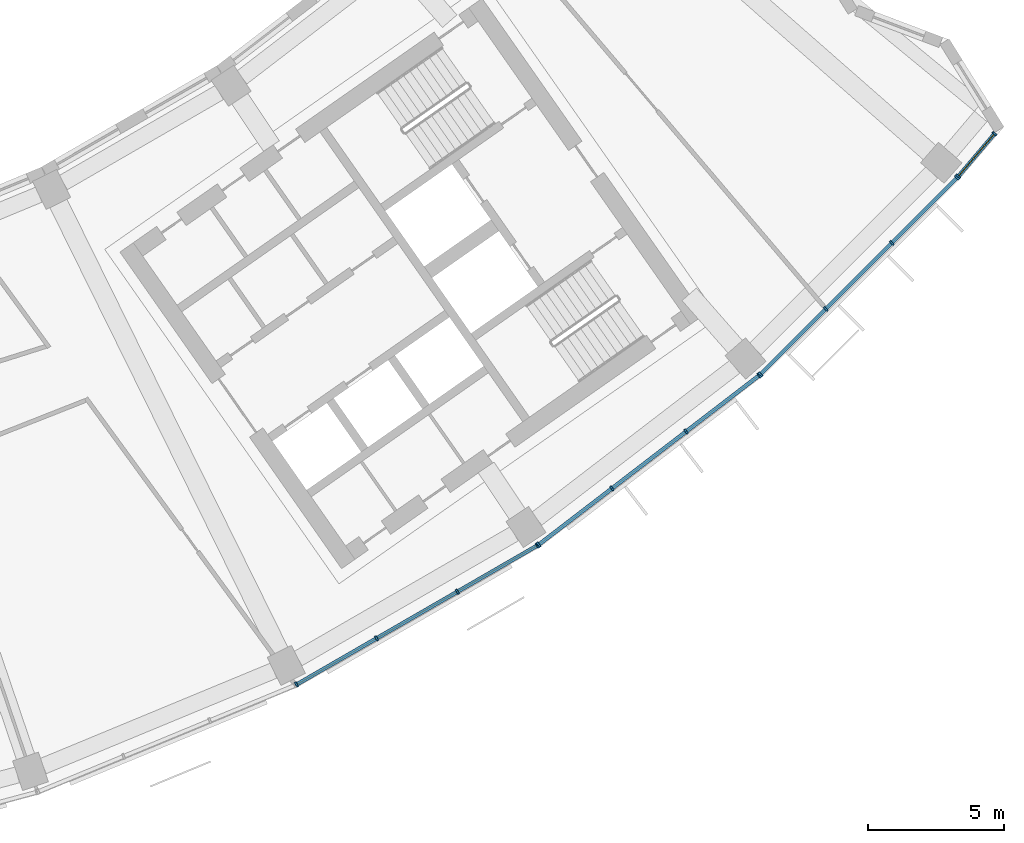
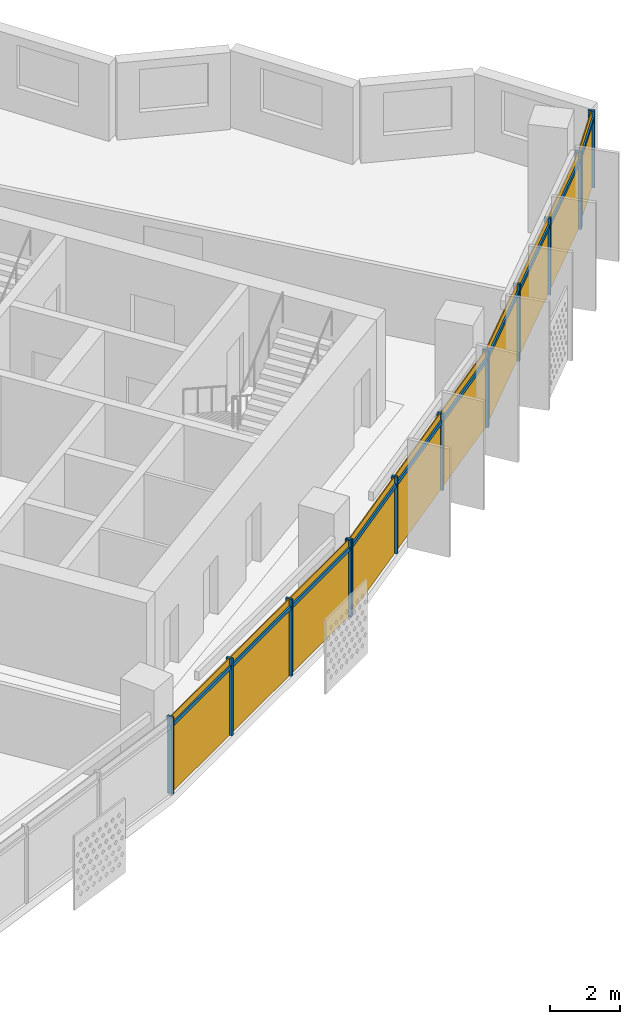
# One storey, part 21 of 27: 24 members, 4 curtain walls.
"""IFC4 building model written with IfcOpenShell, lengths in metres."""

from ifc_helpers import new_model, si_unit, direction, frame, origin, origin_2d, place, context, subcontext, project, spatial, rectangle, extrude, material, material_profile, profile_set, type_object, element, aggregate, save


model = new_model("IFC4")

# Units and contexts
model_context = context("Model", 3, precision=1e-05, world=origin(), true_north=direction((0.0, 1.0)))
body_context = subcontext(model_context, "Body", "Model", "MODEL_VIEW")
ifc_project = project(units=[si_unit("LENGTHUNIT", "METRE"), si_unit("AREAUNIT", "SQUARE_METRE"), si_unit("VOLUMEUNIT", "CUBIC_METRE"), si_unit("PLANEANGLEUNIT", "RADIAN"), si_unit("MASSUNIT", "GRAM", prefix="KILO")], contexts=[model_context])

# Member
ifc_material = material(Name="Aluminium 6063-T6 anodised", Category="aluminium")
ifc_material_profile_1 = material_profile(ifc_material, rectangle(XDim=0.199951171875, YDim=0.070068359375, at=origin_2d()))
ifc_profile_set_1 = profile_set([ifc_material_profile_1], Name="Aluminium 6063-T6 anodised")
member_type_1 = type_object("IfcMemberType", Name="Mullion 70 x 200 aluminium", PredefinedType="MULLION", material=ifc_profile_set_1)
site_placement = place(None, origin())
building_placement = place(site_placement, origin())
storey_placement = place(building_placement, frame((0.0, 0.0, 222.699951171875)))
member_1_placement = place(storey_placement, frame((34.766357421875, -70.43505859375, 0.0), z_axis=(0.0, 0.0, 1.0), x_axis=(-0.5, 0.866025403784, 0.0)))
member_1 = element("IfcMember", 1, at=member_1_placement, type_object=member_type_1, Name="e-cw1-L53-out12/M00", PredefinedType="MULLION", context=body_context, shape_type="SweptSolid", body=[
    extrude(rectangle(XDim=0.199951171875, YDim=0.070068359375, at=origin_2d()), origin(), (0.0, 0.0, 1.0), 2.699951171875),
])

member_2_placement = place(storey_placement, frame((37.705810546875, -68.73779296875, 0.0), z_axis=(0.0, 0.0, 1.0), x_axis=(-0.5, 0.866025403784, 0.0)))
member_2 = element("IfcMember", 2, at=member_2_placement, type_object=member_type_1, Name="e-cw1-L53-out12/M01", PredefinedType="MULLION", context=body_context, shape_type="SweptSolid", body=[
    extrude(rectangle(XDim=0.199951171875, YDim=0.070068359375, at=origin_2d()), origin(), (0.0, 0.0, 1.0), 2.699951171875),
])

member_3_placement = place(storey_placement, frame((40.67578125, -67.023193359375, 0.0), z_axis=(0.0, 0.0, 1.0), x_axis=(-0.5, 0.866025403784, 0.0)))
member_3 = element("IfcMember", 3, at=member_3_placement, type_object=member_type_1, Name="e-cw1-L53-out12/M02", PredefinedType="MULLION", context=body_context, shape_type="SweptSolid", body=[
    extrude(rectangle(XDim=0.199951171875, YDim=0.070068359375, at=origin_2d()), origin(), (0.0, 0.0, 1.0), 2.699951171875),
])

member_4_placement = place(storey_placement, frame((43.615234375, -65.325927734375, 0.0), z_axis=(0.0, 0.0, 1.0), x_axis=(-0.5, 0.866025403784, 0.0)))
member_4 = element("IfcMember", 4, at=member_4_placement, type_object=member_type_1, Name="e-cw1-L53-out12/M03", PredefinedType="MULLION", context=body_context, shape_type="SweptSolid", body=[
    extrude(rectangle(XDim=0.199951171875, YDim=0.070068359375, at=origin_2d()), origin(), (0.0, 0.0, 1.0), 2.699951171875),
])

member_5_placement = place(storey_placement, frame((43.66259765625, -65.29443359375, 0.0), z_axis=(0.0, 0.0, 1.0), x_axis=(-0.608761429009, 0.793353340291, 0.0)))
member_5 = element("IfcMember", 5, at=member_5_placement, type_object=member_type_1, Name="e-cw1-L53-out13/M00", PredefinedType="MULLION", context=body_context, shape_type="SweptSolid", body=[
    extrude(rectangle(XDim=0.199951171875, YDim=0.070068359375, at=origin_2d()), origin(), (0.0, 0.0, 1.0), 2.699951171875),
])

member_6_placement = place(storey_placement, frame((46.35546875, -63.22802734375, 0.0), z_axis=(0.0, 0.0, 1.0), x_axis=(-0.608761429009, 0.793353340291, 0.0)))
member_6 = element("IfcMember", 6, at=member_6_placement, type_object=member_type_1, Name="e-cw1-L53-out13/M01", PredefinedType="MULLION", context=body_context, shape_type="SweptSolid", body=[
    extrude(rectangle(XDim=0.199951171875, YDim=0.070068359375, at=origin_2d()), origin(), (0.0, 0.0, 1.0), 2.699951171875),
])

member_7_placement = place(storey_placement, frame((49.075927734375, -61.140380859375, 0.0), z_axis=(0.0, 0.0, 1.0), x_axis=(-0.608761429009, 0.793353340291, 0.0)))
member_7 = element("IfcMember", 7, at=member_7_placement, type_object=member_type_1, Name="e-cw1-L53-out13/M02", PredefinedType="MULLION", context=body_context, shape_type="SweptSolid", body=[
    extrude(rectangle(XDim=0.199951171875, YDim=0.070068359375, at=origin_2d()), origin(), (0.0, 0.0, 1.0), 2.699951171875),
])

member_8_placement = place(storey_placement, frame((51.768798828125, -59.07421875, 0.0), z_axis=(0.0, 0.0, 1.0), x_axis=(-0.608761429009, 0.793353340291, 0.0)))
member_8 = element("IfcMember", 8, at=member_8_placement, type_object=member_type_1, Name="e-cw1-L53-out13/M03", PredefinedType="MULLION", context=body_context, shape_type="SweptSolid", body=[
    extrude(rectangle(XDim=0.199951171875, YDim=0.070068359375, at=origin_2d()), origin(), (0.0, 0.0, 1.0), 2.699951171875),
])

member_9_placement = place(storey_placement, frame((51.8115234375, -59.03662109375, 0.0), z_axis=(0.0, 0.0, 1.0), x_axis=(-0.707106781187, 0.707106781187, 0.0)))
member_9 = element("IfcMember", 9, at=member_9_placement, type_object=member_type_1, Name="e-cw1-L53-out14/M00", PredefinedType="MULLION", context=body_context, shape_type="SweptSolid", body=[
    extrude(rectangle(XDim=0.199951171875, YDim=0.070068359375, at=origin_2d()), origin(), (0.0, 0.0, 1.0), 2.699951171875),
])

member_10_placement = place(storey_placement, frame((54.211669921875, -56.63671875, 0.0), z_axis=(0.0, 0.0, 1.0), x_axis=(-0.707106781187, 0.707106781187, 0.0)))
member_10 = element("IfcMember", 10, at=member_10_placement, type_object=member_type_1, Name="e-cw1-L53-out14/M01", PredefinedType="MULLION", context=body_context, shape_type="SweptSolid", body=[
    extrude(rectangle(XDim=0.199951171875, YDim=0.070068359375, at=origin_2d()), origin(), (0.0, 0.0, 1.0), 2.699951171875),
])

member_11_placement = place(storey_placement, frame((56.63671875, -54.211669921875, 0.0), z_axis=(0.0, 0.0, 1.0), x_axis=(-0.707106781187, 0.707106781187, 0.0)))
member_11 = element("IfcMember", 11, at=member_11_placement, type_object=member_type_1, Name="e-cw1-L53-out14/M02", PredefinedType="MULLION", context=body_context, shape_type="SweptSolid", body=[
    extrude(rectangle(XDim=0.199951171875, YDim=0.070068359375, at=origin_2d()), origin(), (0.0, 0.0, 1.0), 2.699951171875),
])

member_12_placement = place(storey_placement, frame((59.03662109375, -51.8115234375, 0.0), z_axis=(0.0, 0.0, 1.0), x_axis=(-0.707106781187, 0.707106781187, 0.0)))
member_12 = element("IfcMember", 12, at=member_12_placement, type_object=member_type_1, Name="e-cw1-L53-out14/M03", PredefinedType="MULLION", context=body_context, shape_type="SweptSolid", body=[
    extrude(rectangle(XDim=0.199951171875, YDim=0.070068359375, at=origin_2d()), origin(), (0.0, 0.0, 1.0), 2.699951171875),
])

member_13_placement = place(storey_placement, frame((59.07861328125, -51.76611328125, 0.0), z_axis=(0.0, 0.0, 1.0), x_axis=(-0.762284036665, 0.647242649588, 0.0)))
member_13 = element("IfcMember", 13, at=member_13_placement, type_object=member_type_1, Name="e-cw1-L53-out15/M00", PredefinedType="MULLION", context=body_context, shape_type="SweptSolid", body=[
    extrude(rectangle(XDim=0.199951171875, YDim=0.070068359375, at=origin_2d()), origin(), (0.0, 0.0, 1.0), 2.699951171875),
])

member_14_placement = place(storey_placement, frame((60.41162109375, -50.196044921875, 0.0), z_axis=(0.0, 0.0, 1.0), x_axis=(-0.762284036665, 0.647242649588, 0.0)))
member_14 = element("IfcMember", 14, at=member_14_placement, type_object=member_type_1, Name="e-cw1-L53-out15/M01", PredefinedType="MULLION", context=body_context, shape_type="SweptSolid", body=[
    extrude(rectangle(XDim=0.199951171875, YDim=0.070068359375, at=origin_2d()), origin(), (0.0, 0.0, 1.0), 2.699951171875),
])

ifc_material_profile_2 = material_profile(ifc_material, rectangle(XDim=0.139892578125, YDim=0.1201171875, at=origin_2d()))
ifc_profile_set_2 = profile_set([ifc_material_profile_2], Name="Aluminium 6063-T6 anodised")
member_type_2 = type_object("IfcMemberType", Name="Transom 120 x 140 aluminium", PredefinedType="USERDEFINED", material=ifc_profile_set_2)
member_15_placement = place(storey_placement, frame((34.796630859375, -70.41748046875, 2.400146484375), z_axis=(0.866029041019, 0.499993700073, 0.0), x_axis=(-0.499993700073, 0.866029041019, 0.0)))
member_15 = element("IfcMember", 15, at=member_15_placement, type_object=member_type_2, Name="e-cw1-L53-out12/T00", ObjectType="TRANSOM", PredefinedType="USERDEFINED", context=body_context, shape_type="SweptSolid", body=[
    extrude(rectangle(XDim=0.139892578125, YDim=0.1201171875, at=origin_2d()), origin(), (0.0, 0.0, 1.0), 3.32421875),
])

member_16_placement = place(storey_placement, frame((37.736083984375, -68.72021484375, 2.400146484375), z_axis=(0.866034314054, 0.499984566643, 0.0), x_axis=(-0.499984566643, 0.866034314054, 0.0)))
member_16 = element("IfcMember", 16, at=member_16_placement, type_object=member_type_2, Name="e-cw1-L53-out12/T01", ObjectType="TRANSOM", PredefinedType="USERDEFINED", context=body_context, shape_type="SweptSolid", body=[
    extrude(rectangle(XDim=0.139892578125, YDim=0.1201171875, at=origin_2d()), origin(), (0.0, 0.0, 1.0), 3.359375),
])

member_17_placement = place(storey_placement, frame((40.7060546875, -67.005615234375, 2.400146484375), z_axis=(0.866029041019, 0.499993700073, 0.0), x_axis=(-0.499993700073, 0.866029041019, 0.0)))
member_17 = element("IfcMember", 17, at=member_17_placement, type_object=member_type_2, Name="e-cw1-L53-out12/T02", ObjectType="TRANSOM", PredefinedType="USERDEFINED", context=body_context, shape_type="SweptSolid", body=[
    extrude(rectangle(XDim=0.139892578125, YDim=0.1201171875, at=origin_2d()), origin(), (0.0, 0.0, 1.0), 3.32421875),
])

member_18_placement = place(storey_placement, frame((43.690185546875, -65.273193359375, 2.400146484375), z_axis=(0.793368713958, 0.608741393132, 0.0), x_axis=(-0.608741393132, 0.793368713958, 0.0)))
member_18 = element("IfcMember", 18, at=member_18_placement, type_object=member_type_2, Name="e-cw1-L53-out13/T00", ObjectType="TRANSOM", PredefinedType="USERDEFINED", context=body_context, shape_type="SweptSolid", body=[
    extrude(rectangle(XDim=0.139892578125, YDim=0.1201171875, at=origin_2d()), origin(), (0.0, 0.0, 1.0), 3.324462890625),
])

member_19_placement = place(storey_placement, frame((46.383056640625, -63.206787109375, 2.400146484375), z_axis=(0.793385234627, 0.608719861247, 0.0), x_axis=(-0.608719861247, 0.793385234627, 0.0)))
member_19 = element("IfcMember", 19, at=member_19_placement, type_object=member_type_2, Name="e-cw1-L53-out13/T01", ObjectType="TRANSOM", PredefinedType="USERDEFINED", context=body_context, shape_type="SweptSolid", body=[
    extrude(rectangle(XDim=0.139892578125, YDim=0.1201171875, at=origin_2d()), origin(), (0.0, 0.0, 1.0), 3.359375),
])

member_20_placement = place(storey_placement, frame((49.103759765625, -61.119140625, 2.400146484375), z_axis=(0.793368713958, 0.608741393132, 0.0), x_axis=(-0.608741393132, 0.793368713958, 0.0)))
member_20 = element("IfcMember", 20, at=member_20_placement, type_object=member_type_2, Name="e-cw1-L53-out13/T02", ObjectType="TRANSOM", PredefinedType="USERDEFINED", context=body_context, shape_type="SweptSolid", body=[
    extrude(rectangle(XDim=0.139892578125, YDim=0.1201171875, at=origin_2d()), origin(), (0.0, 0.0, 1.0), 3.324462890625),
])

member_21_placement = place(storey_placement, frame((51.83642578125, -59.011962890625, 2.400146484375), z_axis=(0.707106781187, 0.707106781187, 0.0), x_axis=(-0.707106781187, 0.707106781187, 0.0)))
member_21 = element("IfcMember", 21, at=member_21_placement, type_object=member_type_2, Name="e-cw1-L53-out14/T00", ObjectType="TRANSOM", PredefinedType="USERDEFINED", context=body_context, shape_type="SweptSolid", body=[
    extrude(rectangle(XDim=0.139892578125, YDim=0.1201171875, at=origin_2d()), origin(), (0.0, 0.0, 1.0), 3.32421875),
])

member_22_placement = place(storey_placement, frame((54.236572265625, -56.61181640625, 2.400146484375), z_axis=(0.707106781187, 0.707106781187, 0.0), x_axis=(-0.707106781187, 0.707106781187, 0.0)))
member_22 = element("IfcMember", 22, at=member_22_placement, type_object=member_type_2, Name="e-cw1-L53-out14/T01", ObjectType="TRANSOM", PredefinedType="USERDEFINED", context=body_context, shape_type="SweptSolid", body=[
    extrude(rectangle(XDim=0.139892578125, YDim=0.1201171875, at=origin_2d()), origin(), (0.0, 0.0, 1.0), 3.359130859375),
])

member_23_placement = place(storey_placement, frame((56.661376953125, -54.18701171875, 2.400146484375), z_axis=(0.707106781187, 0.707106781187, 0.0), x_axis=(-0.707106781187, 0.707106781187, 0.0)))
member_23 = element("IfcMember", 23, at=member_23_placement, type_object=member_type_2, Name="e-cw1-L53-out14/T02", ObjectType="TRANSOM", PredefinedType="USERDEFINED", context=body_context, shape_type="SweptSolid", body=[
    extrude(rectangle(XDim=0.139892578125, YDim=0.1201171875, at=origin_2d()), origin(), (0.0, 0.0, 1.0), 3.32421875),
])

member_24_placement = place(storey_placement, frame((59.101318359375, -51.739501953125, 2.400146484375), z_axis=(0.64720660326, 0.762314641534, 0.0), x_axis=(-0.762314641534, 0.64720660326, 0.0)))
member_24 = element("IfcMember", 24, at=member_24_placement, type_object=member_type_2, Name="e-cw1-L53-out15/T00", ObjectType="TRANSOM", PredefinedType="USERDEFINED", context=body_context, shape_type="SweptSolid", body=[
    extrude(rectangle(XDim=0.139892578125, YDim=0.1201171875, at=origin_2d()), origin(), (0.0, 0.0, 1.0), 1.989501953125),
])

# Site, building, storey
site = spatial("IfcSite", under=ifc_project, at=site_placement, CompositionType="ELEMENT")
building = spatial("IfcBuilding", under=site, at=building_placement, Name="Qamariyya Broadcast Tower", CompositionType="ELEMENT")
storey = spatial("IfcBuildingStorey", under=building, at=storey_placement, Name="L53", CompositionType="ELEMENT", Elevation=222.699951171875)

# Curtain wall
curtain_wall_type = type_object("IfcCurtainWallType", Name="Unitised curtain wall, anodised aluminium", PredefinedType="NOTDEFINED", material=ifc_material)
curtain_wall_1_placement = place(storey_placement, origin())
curtain_wall_1 = element("IfcCurtainWall", 25, at=curtain_wall_1_placement, inside=storey, type_object=curtain_wall_type, Name="e-cw1-L53-out12", PredefinedType="NOTDEFINED", context=body_context, shape_type="SweptSolid", body=[
    extrude(rectangle(XDim=3.32421875, YDim=0.031982421875, at=origin_2d()), frame((36.236083984375, -69.58642578125, 0.0), x_axis=(0.866027904674, 0.499995668308, 0.0)), (0.0, 0.0, 1.0), 2.340087890625),
    extrude(rectangle(XDim=3.32421875, YDim=0.031982421875, at=origin_2d()), frame((36.236083984375, -69.58642578125, 2.4599609375), x_axis=(0.866027904674, 0.499995668308, 0.0)), (0.0, 0.0, 1.0), 0.239990234375),
    extrude(rectangle(XDim=3.359130859375, YDim=0.031982421875, at=origin_2d()), frame((39.19091796875, -67.88037109375, 0.0), x_axis=(0.866027904674, 0.499995668308, 0.0)), (0.0, 0.0, 1.0), 2.340087890625),
    extrude(rectangle(XDim=3.359130859375, YDim=0.031982421875, at=origin_2d()), frame((39.19091796875, -67.88037109375, 2.4599609375), x_axis=(0.866027904674, 0.499995668308, 0.0)), (0.0, 0.0, 1.0), 0.239990234375),
    extrude(rectangle(XDim=3.32421875, YDim=0.031982421875, at=origin_2d()), frame((42.1455078125, -66.174560546875, 0.0), x_axis=(0.866027904674, 0.499995668308, 0.0)), (0.0, 0.0, 1.0), 2.340087890625),
    extrude(rectangle(XDim=3.32421875, YDim=0.031982421875, at=origin_2d()), frame((42.1455078125, -66.174560546875, 2.4599609375), x_axis=(0.866027904674, 0.499995668308, 0.0)), (0.0, 0.0, 1.0), 0.239990234375),
])

aggregate(curtain_wall_1, [member_1, member_2, member_3, member_4, member_15, member_16, member_17])

curtain_wall_2_placement = place(storey_placement, origin())
curtain_wall_2 = element("IfcCurtainWall", 26, at=curtain_wall_2_placement, inside=storey, type_object=curtain_wall_type, Name="e-cw1-L53-out13", PredefinedType="NOTDEFINED", context=body_context, shape_type="SweptSolid", body=[
    extrude(rectangle(XDim=3.32421875, YDim=0.031982421875, at=origin_2d()), frame((45.009033203125, -64.26123046875, 0.0), x_axis=(0.793359168734, 0.608753833159, 0.0)), (0.0, 0.0, 1.0), 2.340087890625),
    extrude(rectangle(XDim=3.32421875, YDim=0.031982421875, at=origin_2d()), frame((45.009033203125, -64.26123046875, 2.4599609375), x_axis=(0.793359168734, 0.608753833159, 0.0)), (0.0, 0.0, 1.0), 0.239990234375),
    extrude(rectangle(XDim=3.359130859375, YDim=0.031982421875, at=origin_2d()), frame((47.7158203125, -62.184326171875, 0.0), x_axis=(0.793359168734, 0.608753833159, 0.0)), (0.0, 0.0, 1.0), 2.340087890625),
    extrude(rectangle(XDim=3.359130859375, YDim=0.031982421875, at=origin_2d()), frame((47.7158203125, -62.184326171875, 2.4599609375), x_axis=(0.793359168734, 0.608753833159, 0.0)), (0.0, 0.0, 1.0), 0.239990234375),
    extrude(rectangle(XDim=3.32421875, YDim=0.031982421875, at=origin_2d()), frame((50.42236328125, -60.107421875, 0.0), x_axis=(0.793359168734, 0.608753833159, 0.0)), (0.0, 0.0, 1.0), 2.340087890625),
    extrude(rectangle(XDim=3.32421875, YDim=0.031982421875, at=origin_2d()), frame((50.42236328125, -60.107421875, 2.4599609375), x_axis=(0.793359168734, 0.608753833159, 0.0)), (0.0, 0.0, 1.0), 0.239990234375),
])

aggregate(curtain_wall_2, [member_5, member_6, member_7, member_8, member_18, member_19, member_20])

curtain_wall_3_placement = place(storey_placement, origin())
curtain_wall_3 = element("IfcCurtainWall", 27, at=curtain_wall_3_placement, inside=storey, type_object=curtain_wall_type, Name="e-cw1-L53-out14", PredefinedType="NOTDEFINED", context=body_context, shape_type="SweptSolid", body=[
    extrude(rectangle(XDim=3.32421875, YDim=0.031982421875, at=origin_2d()), frame((53.01171875, -57.836669921875, 0.0), x_axis=(0.707106781187, 0.707106781187, 0.0)), (0.0, 0.0, 1.0), 2.340087890625),
    extrude(rectangle(XDim=3.32421875, YDim=0.031982421875, at=origin_2d()), frame((53.01171875, -57.836669921875, 2.4599609375), x_axis=(0.707106781187, 0.707106781187, 0.0)), (0.0, 0.0, 1.0), 0.239990234375),
    extrude(rectangle(XDim=3.359375, YDim=0.031982421875, at=origin_2d()), frame((55.42431640625, -55.42431640625, 0.0), x_axis=(0.707106781187, 0.707106781187, 0.0)), (0.0, 0.0, 1.0), 2.340087890625),
    extrude(rectangle(XDim=3.359375, YDim=0.031982421875, at=origin_2d()), frame((55.42431640625, -55.42431640625, 2.4599609375), x_axis=(0.707106781187, 0.707106781187, 0.0)), (0.0, 0.0, 1.0), 0.239990234375),
    extrude(rectangle(XDim=3.32421875, YDim=0.031982421875, at=origin_2d()), frame((57.836669921875, -53.01171875, 0.0), x_axis=(0.707106781187, 0.707106781187, 0.0)), (0.0, 0.0, 1.0), 2.340087890625),
    extrude(rectangle(XDim=3.32421875, YDim=0.031982421875, at=origin_2d()), frame((57.836669921875, -53.01171875, 2.4599609375), x_axis=(0.707106781187, 0.707106781187, 0.0)), (0.0, 0.0, 1.0), 0.239990234375),
])

aggregate(curtain_wall_3, [member_9, member_10, member_11, member_12, member_21, member_22, member_23])

curtain_wall_4_placement = place(storey_placement, origin())
curtain_wall_4 = element("IfcCurtainWall", 28, at=curtain_wall_4_placement, inside=storey, type_object=curtain_wall_type, Name="e-cw1-L53-out15", PredefinedType="NOTDEFINED", context=body_context, shape_type="SweptSolid", body=[
    extrude(rectangle(XDim=1.989501953125, YDim=0.031982421875, at=origin_2d()), frame((59.7451171875, -50.98095703125, 0.0), x_axis=(0.647272300077, 0.762258859938, 0.0)), (0.0, 0.0, 1.0), 2.340087890625),
    extrude(rectangle(XDim=1.989501953125, YDim=0.031982421875, at=origin_2d()), frame((59.7451171875, -50.98095703125, 2.4599609375), x_axis=(0.647272300077, 0.762258859938, 0.0)), (0.0, 0.0, 1.0), 0.239990234375),
])

aggregate(curtain_wall_4, [member_13, member_14, member_24])

save(model, "model.ifc")
